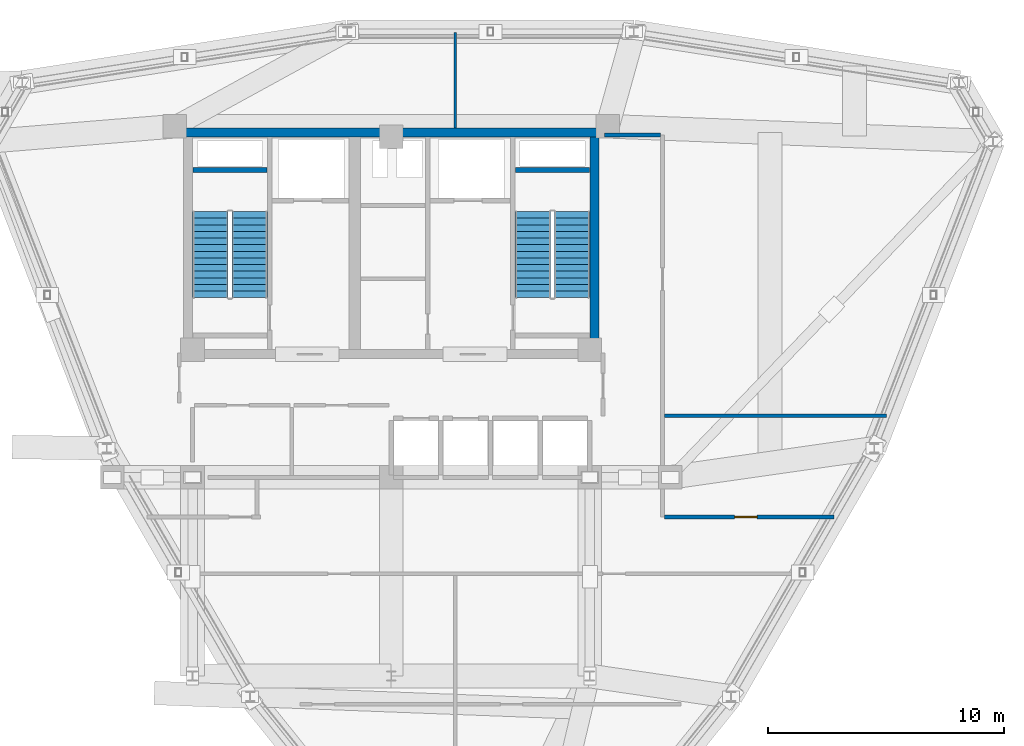
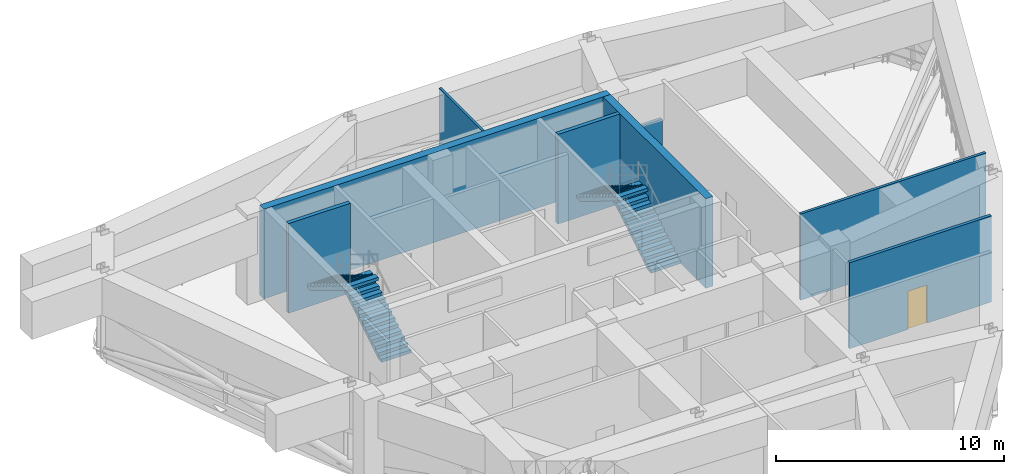
# One storey, part 9 of 11: 8 walls, 4 stair flights, 1 door, 1 opening, 2 elements without a shape of their own.
"""IFC4 building model written with IfcOpenShell, lengths in metres."""

import ifcopenshell
import ifcopenshell.guid

model = None  # the IFC model being written
_history = None  # IfcOwnerHistory: only IFC2X3 demands one
_inside = {}  # id of a spatial element -> (the spatial element, [elements in it])
_under = {}  # id of a project, library or spatial element -> (it, [spatial elements below it])
_declared = {}  # id of a project -> (the project, [libraries it declares])
_typed = {}  # id of a type object -> (the type object, [elements of that type])
_made_of = {}  # id of a material, layer set ... -> (it, [elements and type objects made of it])


def new_model(schema):
    """Start an empty IFC model of exactly this schema.

    Asked for "IFC4X3", IfcOpenShell would pick the latest addendum, in which some entities
    have other attributes; the version numbers below select the first issue.
    IFC2X3 requires an IfcOwnerHistory on every rooted entity: one is made here for all.
    """
    global model, _history
    if schema == "IFC4X3":
        model = ifcopenshell.file(schema_version=(4, 3, 0, 0))
    else:
        model = ifcopenshell.file(schema=schema)
    _inside.clear()
    _under.clear()
    _declared.clear()
    _typed.clear()
    _made_of.clear()
    _history = None
    if model.schema == "IFC2X3":
        org = make("IfcOrganization", Name="unknown")
        user = make(
            "IfcPersonAndOrganization",
            ThePerson=make("IfcPerson", FamilyName="unknown"),
            TheOrganization=org,
        )
        app = make(
            "IfcApplication",
            ApplicationDeveloper=org,
            Version="unknown",
            ApplicationFullName="unknown",
            ApplicationIdentifier="unknown",
        )
        _history = make(
            "IfcOwnerHistory",
            OwningUser=user,
            OwningApplication=app,
            ChangeAction="ADDED",
            CreationDate=0,
        )
    return model


def make(cls, **values):
    """One entity of the class cls with the attributes given. An attribute that is None is left unset."""
    return model.create_entity(
        cls, **{name: value for name, value in values.items() if value is not None}
    )


def rooted(cls, **values):
    """An entity with a GlobalId (a new one), such as an element, a storey or a relation."""
    return make(cls, GlobalId=ifcopenshell.guid.new(), OwnerHistory=_history, **values)


def si_unit(unit_type, name, prefix=None):
    """IfcSIUnit, for example si_unit("LENGTHUNIT", "METRE", prefix="MILLI")."""
    return make("IfcSIUnit", UnitType=unit_type, Prefix=prefix, Name=name)


def derived_unit(unit_type, elements):
    """IfcDerivedUnit: a product of units, each with its exponent."""
    return make(
        "IfcDerivedUnit",
        Elements=[
            make("IfcDerivedUnitElement", Unit=unit, Exponent=power)
            for unit, power in elements
        ],
        UnitType=unit_type,
    )


def assignment(units):
    """IfcUnitAssignment: the units of a project."""
    return None if units is None else make("IfcUnitAssignment", Units=units)


def point(xyz):
    """IfcCartesianPoint."""
    return None if xyz is None else make("IfcCartesianPoint", Coordinates=xyz)


def direction(xyz):
    """IfcDirection."""
    return None if xyz is None else make("IfcDirection", DirectionRatios=xyz)


def frame(location, z_axis=None, x_axis=None):
    """IfcAxis2Placement3D, a coordinate frame: its origin and axes. An axis left out is left unset."""
    return make(
        "IfcAxis2Placement3D",
        Location=point(location),
        Axis=direction(z_axis),
        RefDirection=direction(x_axis),
    )


def frame_2d(location, x_axis=None):
    """IfcAxis2Placement2D, a coordinate frame in the plane: its origin and x axis."""
    return make(
        "IfcAxis2Placement2D", Location=point(location), RefDirection=direction(x_axis)
    )


def origin():
    """The frame at (0, 0, 0) with its axes left unset."""
    return frame((0.0, 0.0, 0.0))


def place(relative_to, where):
    """IfcLocalPlacement: puts the frame where relative to a parent placement (None: the world)."""
    return make(
        "IfcLocalPlacement", PlacementRelTo=relative_to, RelativePlacement=where
    )


def context(
    kind, dimensions, precision=None, world=None, true_north=None, identifier=None
):
    """IfcGeometricRepresentationContext, for example the 3D "Model" context."""
    return make(
        "IfcGeometricRepresentationContext",
        ContextIdentifier=identifier,
        ContextType=kind,
        CoordinateSpaceDimension=dimensions,
        Precision=precision,
        WorldCoordinateSystem=world,
        TrueNorth=true_north,
    )


def subcontext(parent, identifier, kind, view, scale=None):
    """IfcGeometricRepresentationSubContext, for example "Body" below "Model"."""
    return make(
        "IfcGeometricRepresentationSubContext",
        ContextIdentifier=identifier,
        ContextType=kind,
        ParentContext=parent,
        TargetScale=scale,
        TargetView=view,
    )


def project(units=None, contexts=None):
    """IfcProject with its units and contexts."""
    return rooted(
        "IfcProject",
        Name="project",
        RepresentationContexts=contexts,
        UnitsInContext=assignment(units),
    )


def spatial(cls, under=None, at=None, **own):
    """A site, building, storey or space (cls), placed at a placement, below another one or the project."""
    s = rooted(cls, ObjectPlacement=at, **own)
    if under is not None:
        _under.setdefault(under.id(), (under, []))[1].append(s)
    return s


def polyline(points):
    """IfcPolyline through the points."""
    return make("IfcPolyline", Points=[point(p) for p in points])


def profile(cls, at=None, kind="AREA", **sizes):
    """A parametric profile (cls). Its sizes go by their IFC names, for example OverallWidth=200.0."""
    return make(cls, ProfileType=kind, Position=at, **sizes)


def rectangle(**sizes):
    """IfcRectangleProfileDef."""
    return profile("IfcRectangleProfileDef", **sizes)


def outline(outer, holes=None, kind="AREA"):
    """IfcArbitraryClosedProfileDef: a profile drawn as a closed curve; with holes, ...WithVoids."""
    if holes is None:
        return make("IfcArbitraryClosedProfileDef", ProfileType=kind, OuterCurve=outer)
    return make(
        "IfcArbitraryProfileDefWithVoids",
        ProfileType=kind,
        OuterCurve=outer,
        InnerCurves=holes,
    )


def extrude(swept, where, along, depth):
    """IfcExtrudedAreaSolid: the profile swept, set in the frame where, extruded along a direction by depth."""
    return make(
        "IfcExtrudedAreaSolid",
        SweptArea=swept,
        Position=where,
        ExtrudedDirection=direction(along),
        Depth=depth,
    )


def shape(context_of_items, identifier, shape_type, items):
    """IfcShapeRepresentation: the items that make up one representation, for example the "Body"."""
    return make(
        "IfcShapeRepresentation",
        ContextOfItems=context_of_items,
        RepresentationIdentifier=identifier,
        RepresentationType=shape_type,
        Items=items,
    )


def material(Name=None, Category=None):
    """IfcMaterial."""
    return make("IfcMaterial", Name=Name, Category=Category)


def layer(
    of_material, thickness, ventilated=None, Name=None, Category=None, Priority=None
):
    """IfcMaterialLayer: one layer of a wall or slab, of a material (None: an air gap)."""
    return make(
        "IfcMaterialLayer",
        Material=of_material,
        LayerThickness=thickness,
        IsVentilated=ventilated,
        Name=Name,
        Category=Category,
        Priority=Priority,
    )


def layer_set(layers, Name=None):
    """IfcMaterialLayerSet."""
    return make("IfcMaterialLayerSet", MaterialLayers=layers, LayerSetName=Name)


def made_of(thing, what):
    """Note that an element or type object is made of a material, layer set ...; save() writes the relation."""
    if what is not None:
        _made_of.setdefault(what.id(), (what, []))[1].append(thing)
    return thing


def type_object(cls, material=None, **own):
    """A type object (cls), such as IfcWallType, which elements share."""
    return made_of(rooted(cls, **own), material)


def element(
    cls,
    number,
    at=None,
    inside=None,
    cuts=None,
    type_object=None,
    material=None,
    context=None,
    identifier="Body",
    shape_type=None,
    held_by="IfcProductDefinitionShape",
    body=None,
    shapes=None,
    **own,
):
    """One element of the class cls, such as IfcWall. Its Tag is "e" and its number.

    at: its placement. inside: the storey or other place that contains it. cuts: it is an
    opening in that element (IfcRelVoidsElement). A single representation is given by context,
    identifier, shape_type and body (its items); several are given by shapes. held_by: the class
    of the entity that holds the representations. save() writes the other relations.
    """
    e = rooted(cls, Tag="e%d" % number, ObjectPlacement=at, **own)
    if body is not None:
        shapes = [shape(context, identifier, shape_type, body)]
    if shapes is not None:
        e.Representation = make(held_by, Representations=shapes)
    if inside is not None:
        _inside.setdefault(inside.id(), (inside, []))[1].append(e)
    if cuts is not None:
        rooted(
            "IfcRelVoidsElement", RelatingBuildingElement=cuts, RelatedOpeningElement=e
        )
    if type_object is not None:
        _typed.setdefault(type_object.id(), (type_object, []))[1].append(e)
    return made_of(e, material)


def fill(opening, filler):
    """IfcRelFillsElement: the door or window that sits in an opening."""
    return rooted(
        "IfcRelFillsElement",
        RelatingOpeningElement=opening,
        RelatedBuildingElement=filler,
    )


def aggregate(whole, parts):
    """IfcRelAggregates: a whole, such as a stair, and the parts it consists of."""
    return rooted("IfcRelAggregates", RelatingObject=whole, RelatedObjects=parts)


def save(model, path):
    """Write the relations noted so far, then the file.

    IfcRelAggregates (storeys below a building ...), IfcRelContainedInSpatialStructure (elements
    in a storey), IfcRelDefinesByType, IfcRelAssociatesMaterial and IfcRelDeclares: one each for
    every whole, place, type object, material and project.
    """
    for whole, parts in _under.values():
        aggregate(whole, parts)
    for where, things in _inside.values():
        rooted(
            "IfcRelContainedInSpatialStructure",
            RelatedElements=things,
            RelatingStructure=where,
        )
    for kind, things in _typed.values():
        rooted("IfcRelDefinesByType", RelatedObjects=things, RelatingType=kind)
    for what, things in _made_of.values():
        rooted("IfcRelAssociatesMaterial", RelatedObjects=things, RelatingMaterial=what)
    for by, libraries in _declared.values():
        rooted("IfcRelDeclares", RelatingContext=by, RelatedDefinitions=libraries)
    model.write(path)


model = new_model("IFC4")

# Units and contexts
model_context = context("Model", 3, precision=1e-05, world=origin(), true_north=direction((0.0, 1.0)))
body_context = subcontext(model_context, "Body", "Model", "MODEL_VIEW")
ifc_project = project(units=[si_unit("LENGTHUNIT", "METRE"), si_unit("AREAUNIT", "SQUARE_METRE"), si_unit("VOLUMEUNIT", "CUBIC_METRE"), si_unit("PLANEANGLEUNIT", "RADIAN"), si_unit("MASSUNIT", "GRAM", prefix="KILO"), derived_unit("THERMALTRANSMITTANCEUNIT", [(si_unit("POWERUNIT", "WATT"), 1), (si_unit("LENGTHUNIT", "METRE"), -2), (si_unit("THERMODYNAMICTEMPERATUREUNIT", "KELVIN"), -1)])], contexts=[model_context])

# Site, building, storey
site_placement = place(None, origin())
site = spatial("IfcSite", under=ifc_project, at=site_placement, CompositionType="ELEMENT")
building_placement = place(site_placement, origin())
building = spatial("IfcBuilding", under=site, at=building_placement, Name="Korsvarv Bourse and Concert Hall", CompositionType="ELEMENT")
storey_placement = place(building_placement, frame((0.0, 0.0, 238.199951171875)))
storey = spatial("IfcBuildingStorey", under=building, at=storey_placement, Name="L62", CompositionType="ELEMENT", Elevation=238.199951171875)

# Walls
ifc_material_1 = material(Name="Concrete C50/60", Category="concrete")
ifc_layer_1 = layer(ifc_material_1, 0.3798828125)
ifc_layer_set_1 = layer_set([ifc_layer_1], Name="Concrete C50/60")
wall_type_1 = type_object("IfcWallType", Name="WL-CORE-380", PredefinedType="SHEAR", material=ifc_layer_set_1)
wall_1_placement = place(storey_placement, frame((27.219970703125, 46.989990234375, 0.0), z_axis=(0.0, 0.0, 1.0), x_axis=(1.0, 0.0, 0.0)))
element("IfcWall", 1, at=wall_1_placement, inside=storey, type_object=wall_type_1, Name="L62 North Core Shear Wall", PredefinedType="SHEAR", context=body_context, shape_type="SweptSolid", body=[
    extrude(rectangle(XDim=17.56005859375, YDim=0.3798828125, at=frame_2d((8.780029296875, 0.0))), origin(), (0.0, 0.0, 1.0), 4.800048828125),
])
wall_2_placement = place(storey_placement, frame((44.590087890625, 37.800048828125, 0.0), z_axis=(0.0, 0.0, 1.0), x_axis=(0.0, 1.0, 0.0)))
element("IfcWall", 2, at=wall_2_placement, inside=storey, type_object=wall_type_1, Name="L62 East Core Shear Wall", PredefinedType="SHEAR", context=body_context, shape_type="SweptSolid", body=[
    extrude(rectangle(XDim=9.0, YDim=0.3798828125, at=frame_2d((4.5, 0.0))), origin(), (0.0, 0.0, 1.0), 4.800048828125),
])
for number, where, z_axis, x_axis, name in (
    (3, (27.610107421875, 45.39990234375, 0.0), (0.0, 0.0, 1.0), (1.0, 0.0, 0.0), "L62 stair shaft structural wall W-L62-ST1-N"),
    (4, (41.25, 45.39990234375, 0.0), (0.0, 0.0, 1.0), (1.0, 0.0, 0.0), "L62 stair shaft structural wall W-L62-ST2-N"),
):
    element("IfcWall", number, at=place(storey_placement, frame(where, z_axis=z_axis, x_axis=x_axis)), inside=storey, type_object=wall_type_1, Name=name, PredefinedType="SHEAR", context=body_context, shape_type="SweptSolid", body=[
        extrude(rectangle(XDim=3.139892578125, YDim=0.199951171875, at=frame_2d((1.56982421875, 0.0))), origin(), (0.0, 0.0, 1.0), 4.800048828125),
    ])

# Wall, opening, door
ifc_material_2 = material(Name="Double-stud fire-rated acoustic partition", Category="gypsum")
ifc_layer_2 = layer(ifc_material_2, 0.159912109375)
ifc_layer_set_2 = layer_set([ifc_layer_2], Name="Double-stud fire-rated acoustic partition")
wall_type_2 = type_object("IfcWallType", Name="WL-INT-EI60", PredefinedType="PARTITIONING", material=ifc_layer_set_2)
wall_3_placement = place(storey_placement, frame((47.556884765625, 30.72509765625, 0.0), z_axis=(0.0, 0.0, 1.0), x_axis=(1.0, 0.0, 0.0)))
wall_3 = element("IfcWall", 5, at=wall_3_placement, inside=storey, type_object=wall_type_2, Name="L62 interior partition wall W-L62-RCOR-03", PredefinedType="PARTITIONING", context=body_context, shape_type="SweptSolid", body=[
    extrude(rectangle(XDim=7.176513671875, YDim=0.159912109375, at=frame_2d((3.58837890625, 0.0))), origin(), (0.0, 0.0, 1.0), 4.610107421875),
])
opening_placement = place(wall_3_placement, frame((2.964599609375, 0.0, 0.0)))
opening = element("IfcOpeningElement", 6, at=opening_placement, cuts=wall_3, Name="Opening D-02", PredefinedType="OPENING", context=body_context, shape_type="SweptSolid", body=[
    extrude(rectangle(XDim=0.949951171875, YDim=2.050048828125, at=frame_2d((0.47509765625, 1.02490234375))), frame((0.0, 0.08984375, 0.0), z_axis=(0.0, -1.0, 0.0), x_axis=(1.0, 0.0, 0.0)), (0.0, 0.0, 1.0), 0.179931640625),
])
ifc_material_3 = material(Name="Timber and steel acoustic fire door", Category="wood")
door_type = type_object("IfcDoorType", Name="DR-FD30", OperationType="NOTDEFINED", PredefinedType="DOOR", material=ifc_material_3)
door_placement = place(opening_placement, origin())
door = element("IfcDoor", 7, at=door_placement, inside=storey, type_object=door_type, Name="L62 interior door DR-L62-RCOR-PL21", OperationType="SINGLE_SWING_RIGHT", OverallHeight=2.050048828125, OverallWidth=0.949951171875, PredefinedType="DOOR", context=body_context, shape_type="SweptSolid", body=[
    extrude(rectangle(XDim=0.949951171875, YDim=2.050048828125, at=frame_2d((0.47509765625, 1.02490234375))), frame((0.0, 0.02490234375, 0.0), z_axis=(0.0, -1.0, 0.0), x_axis=(1.0, 0.0, 0.0)), (0.0, 0.0, 1.0), 0.050048828125),
])
fill(opening, door)

# Walls
wall_4_placement = place(storey_placement, frame((45.02001953125, 46.875, 0.0), z_axis=(0.0, 0.0, 1.0), x_axis=(1.0, 0.0, 0.0)))
element("IfcWall", 8, at=wall_4_placement, inside=storey, type_object=wall_type_2, Name="L62 interior partition wall W-L62-RCOR-05", PredefinedType="PARTITIONING", context=body_context, shape_type="SweptSolid", body=[
    extrude(rectangle(XDim=2.373046875, YDim=0.159912109375, at=frame_2d((1.1865234375, 0.0))), origin(), (0.0, 0.0, 1.0), 2.570068359375),
])
ifc_material_4 = material(Name="Demountable acoustic glass and aluminium dealing partition", Category="aluminium")
ifc_layer_3 = layer(ifc_material_4, 0.110107421875)
ifc_layer_set_3 = layer_set([ifc_layer_3], Name="Demountable acoustic glass and aluminium dealing partition")
wall_type_3 = type_object("IfcWallType", Name="WL-INT-MOV", PredefinedType="MOVABLE", material=ifc_layer_set_3)
wall_5_placement = place(storey_placement, frame((38.705078125, 47.181884765625, 0.0), z_axis=(0.0, 0.0, 1.0), x_axis=(0.0, 1.0, 0.0)))
element("IfcWall", 9, at=wall_5_placement, inside=storey, type_object=wall_type_3, Name="L62 interior partition wall W-L62-RCOR-10", PredefinedType="MOVABLE", context=body_context, shape_type="SweptSolid", body=[
    extrude(rectangle(XDim=4.039306640625, YDim=0.110107421875, at=frame_2d((2.01953125, 0.0))), origin(), (0.0, 0.0, 1.0), 4.610107421875),
])
ifc_material_5 = material(Name="Insulated steel-stud office acoustic partition", Category="gypsum")
ifc_layer_4 = layer(ifc_material_5, 0.139892578125)
ifc_layer_set_4 = layer_set([ifc_layer_4], Name="Insulated steel-stud office acoustic partition")
wall_type_4 = type_object("IfcWallType", Name="WL-INT-P1", PredefinedType="PARTITIONING", material=ifc_layer_set_4)
wall_6_placement = place(storey_placement, frame((47.556884765625, 35.0048828125, 0.0), z_axis=(0.0, 0.0, 1.0), x_axis=(1.0, 0.0, 0.0)))
element("IfcWall", 10, at=wall_6_placement, inside=storey, type_object=wall_type_4, Name="L62 interior partition wall W-L62-RCOR-09", PredefinedType="PARTITIONING", context=body_context, shape_type="SweptSolid", body=[
    extrude(rectangle(XDim=9.385009765625, YDim=0.139892578125, at=frame_2d((4.6923828125, 0.0))), origin(), (0.0, 0.0, 1.0), 4.610107421875),
])

# Stair, stair flights
ifc_material_6 = material(Name="Precast concrete C45/55", Category="concrete")
stair_type = type_object("IfcStairType", Name="STR-TYPE-02", PredefinedType="HALF_TURN_STAIR", material=ifc_material_6)
stair_1_placement = place(storey_placement, origin())
stair_1 = element("IfcStair", 11, at=stair_1_placement, inside=storey, type_object=stair_type, Name="L62 Tower West Exit Stair ST-T1", PredefinedType="HALF_TURN_STAIR")
stair_flight_type = type_object("IfcStairFlightType", Name="FLT-TYPE-02", PredefinedType="STRAIGHT", material=ifc_material_6)
stair_flight_1_placement = place(storey_placement, frame((30.010009765625, 40.0, 0.0), z_axis=(0.0, 0.0, 1.0), x_axis=(0.0, 1.0, 0.0)))
stair_flight_1 = element("IfcStairFlight", 12, at=stair_flight_1_placement, type_object=stair_flight_type, Name="ST-T1 flight 1", NumberOfRisers=14, NumberOfTreads=13, PredefinedType="STRAIGHT", RiserHeight=0.171428571, TreadLength=0.28, context=body_context, shape_type="SweptSolid", body=[
    extrude(outline(polyline([(0.0, 0.0), (0.0, 0.17138671875), (0.280029296875, 0.17138671875), (0.280029296875, 0.3427734375), (0.56005859375, 0.3427734375), (0.56005859375, 0.514404296875), (0.840087890625, 0.514404296875), (0.840087890625, 0.685791015625), (1.1201171875, 0.685791015625), (1.1201171875, 0.857177734375), (1.39990234375, 0.857177734375), (1.39990234375, 1.028564453125), (1.679931640625, 1.028564453125), (1.679931640625, 1.199951171875), (1.9599609375, 1.199951171875), (1.9599609375, 1.371337890625), (2.239990234375, 1.371337890625), (2.239990234375, 1.54296875), (2.52001953125, 1.54296875), (2.52001953125, 1.71435546875), (2.800048828125, 1.71435546875), (2.800048828125, 1.8857421875), (3.080078125, 1.8857421875), (3.080078125, 2.05712890625), (3.360107421875, 2.05712890625), (3.360107421875, 2.228515625), (3.639892578125, 2.228515625), (3.639892578125, 2.39990234375), (3.639892578125, 2.052734375), (0.287109375, 0.0), (0.0, 0.0)])), frame((0.0, 0.75, 0.0), z_axis=(0.0, -1.0, 0.0), x_axis=(1.0, 0.0, 0.0)), (0.0, 0.0, 1.0), 1.5),
])
stair_flight_2_placement = place(storey_placement, frame((28.35009765625, 43.639892578125, 2.400146484375), z_axis=(0.0, 0.0, 1.0), x_axis=(0.0, -1.0, 0.0)))
stair_flight_2 = element("IfcStairFlight", 13, at=stair_flight_2_placement, type_object=stair_flight_type, Name="ST-T1 flight 2", NumberOfRisers=14, NumberOfTreads=13, PredefinedType="STRAIGHT", RiserHeight=0.171428571, TreadLength=0.28, context=body_context, shape_type="SweptSolid", body=[
    extrude(outline(polyline([(0.0, 0.0), (0.0, 0.17138671875), (0.280029296875, 0.17138671875), (0.280029296875, 0.3427734375), (0.56005859375, 0.3427734375), (0.56005859375, 0.514404296875), (0.840087890625, 0.514404296875), (0.840087890625, 0.685791015625), (1.1201171875, 0.685791015625), (1.1201171875, 0.857177734375), (1.39990234375, 0.857177734375), (1.39990234375, 1.028564453125), (1.679931640625, 1.028564453125), (1.679931640625, 1.199951171875), (1.9599609375, 1.199951171875), (1.9599609375, 1.371337890625), (2.239990234375, 1.371337890625), (2.239990234375, 1.54296875), (2.52001953125, 1.54296875), (2.52001953125, 1.71435546875), (2.800048828125, 1.71435546875), (2.800048828125, 1.8857421875), (3.080078125, 1.8857421875), (3.080078125, 2.05712890625), (3.360107421875, 2.05712890625), (3.360107421875, 2.228515625), (3.639892578125, 2.228515625), (3.639892578125, 2.39990234375), (3.639892578125, 2.052734375), (0.287109375, 0.0), (0.0, 0.0)])), frame((0.0, 0.75, 0.0), z_axis=(0.0, -1.0, 0.0), x_axis=(1.0, 0.0, 0.0)), (0.0, 0.0, 1.0), 1.5),
])
aggregate(stair_1, [stair_flight_1, stair_flight_2])

stair_2_placement = place(storey_placement, origin())
stair_2 = element("IfcStair", 14, at=stair_2_placement, inside=storey, type_object=stair_type, Name="L62 Tower East Exit Stair ST-T2", PredefinedType="HALF_TURN_STAIR")
stair_flight_3_placement = place(storey_placement, frame((43.64990234375, 40.0, 0.0), z_axis=(0.0, 0.0, 1.0), x_axis=(0.0, 1.0, 0.0)))
stair_flight_3 = element("IfcStairFlight", 15, at=stair_flight_3_placement, type_object=stair_flight_type, Name="ST-T2 flight 1", NumberOfRisers=14, NumberOfTreads=13, PredefinedType="STRAIGHT", RiserHeight=0.171428571, TreadLength=0.28, context=body_context, shape_type="SweptSolid", body=[
    extrude(outline(polyline([(0.0, 0.0), (0.0, 0.17138671875), (0.280029296875, 0.17138671875), (0.280029296875, 0.3427734375), (0.56005859375, 0.3427734375), (0.56005859375, 0.514404296875), (0.840087890625, 0.514404296875), (0.840087890625, 0.685791015625), (1.1201171875, 0.685791015625), (1.1201171875, 0.857177734375), (1.39990234375, 0.857177734375), (1.39990234375, 1.028564453125), (1.679931640625, 1.028564453125), (1.679931640625, 1.199951171875), (1.9599609375, 1.199951171875), (1.9599609375, 1.371337890625), (2.239990234375, 1.371337890625), (2.239990234375, 1.54296875), (2.52001953125, 1.54296875), (2.52001953125, 1.71435546875), (2.800048828125, 1.71435546875), (2.800048828125, 1.8857421875), (3.080078125, 1.8857421875), (3.080078125, 2.05712890625), (3.360107421875, 2.05712890625), (3.360107421875, 2.228515625), (3.639892578125, 2.228515625), (3.639892578125, 2.39990234375), (3.639892578125, 2.052734375), (0.287109375, 0.0), (0.0, 0.0)])), frame((0.0, 0.75, 0.0), z_axis=(0.0, -1.0, 0.0), x_axis=(1.0, 0.0, 0.0)), (0.0, 0.0, 1.0), 1.5),
])
stair_flight_4_placement = place(storey_placement, frame((41.989990234375, 43.639892578125, 2.400146484375), z_axis=(0.0, 0.0, 1.0), x_axis=(0.0, -1.0, 0.0)))
stair_flight_4 = element("IfcStairFlight", 16, at=stair_flight_4_placement, type_object=stair_flight_type, Name="ST-T2 flight 2", NumberOfRisers=14, NumberOfTreads=13, PredefinedType="STRAIGHT", RiserHeight=0.171428571, TreadLength=0.28, context=body_context, shape_type="SweptSolid", body=[
    extrude(outline(polyline([(0.0, 0.0), (0.0, 0.17138671875), (0.280029296875, 0.17138671875), (0.280029296875, 0.3427734375), (0.56005859375, 0.3427734375), (0.56005859375, 0.514404296875), (0.840087890625, 0.514404296875), (0.840087890625, 0.685791015625), (1.1201171875, 0.685791015625), (1.1201171875, 0.857177734375), (1.39990234375, 0.857177734375), (1.39990234375, 1.028564453125), (1.679931640625, 1.028564453125), (1.679931640625, 1.199951171875), (1.9599609375, 1.199951171875), (1.9599609375, 1.371337890625), (2.239990234375, 1.371337890625), (2.239990234375, 1.54296875), (2.52001953125, 1.54296875), (2.52001953125, 1.71435546875), (2.800048828125, 1.71435546875), (2.800048828125, 1.8857421875), (3.080078125, 1.8857421875), (3.080078125, 2.05712890625), (3.360107421875, 2.05712890625), (3.360107421875, 2.228515625), (3.639892578125, 2.228515625), (3.639892578125, 2.39990234375), (3.639892578125, 2.052734375), (0.287109375, 0.0), (0.0, 0.0)])), frame((0.0, 0.75, 0.0), z_axis=(0.0, -1.0, 0.0), x_axis=(1.0, 0.0, 0.0)), (0.0, 0.0, 1.0), 1.5),
])
aggregate(stair_2, [stair_flight_3, stair_flight_4])

save(model, "model.ifc")
